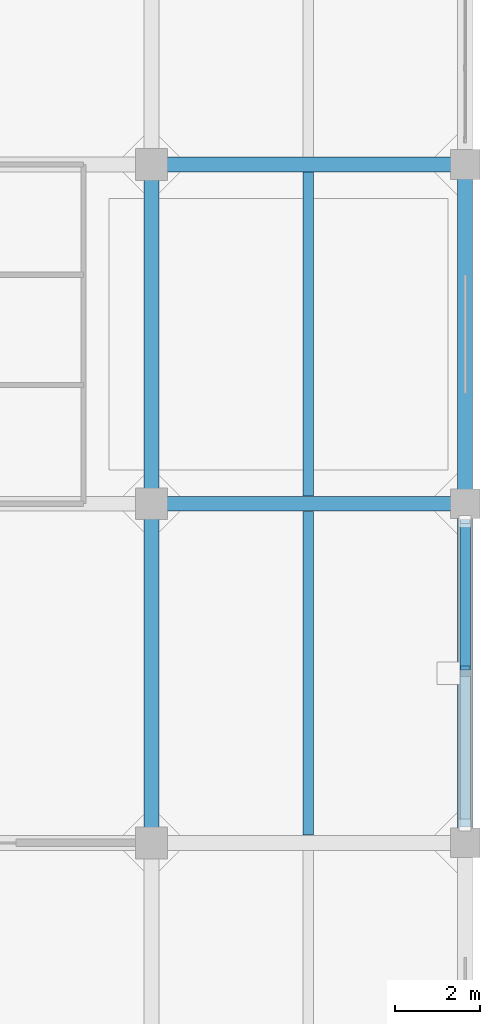
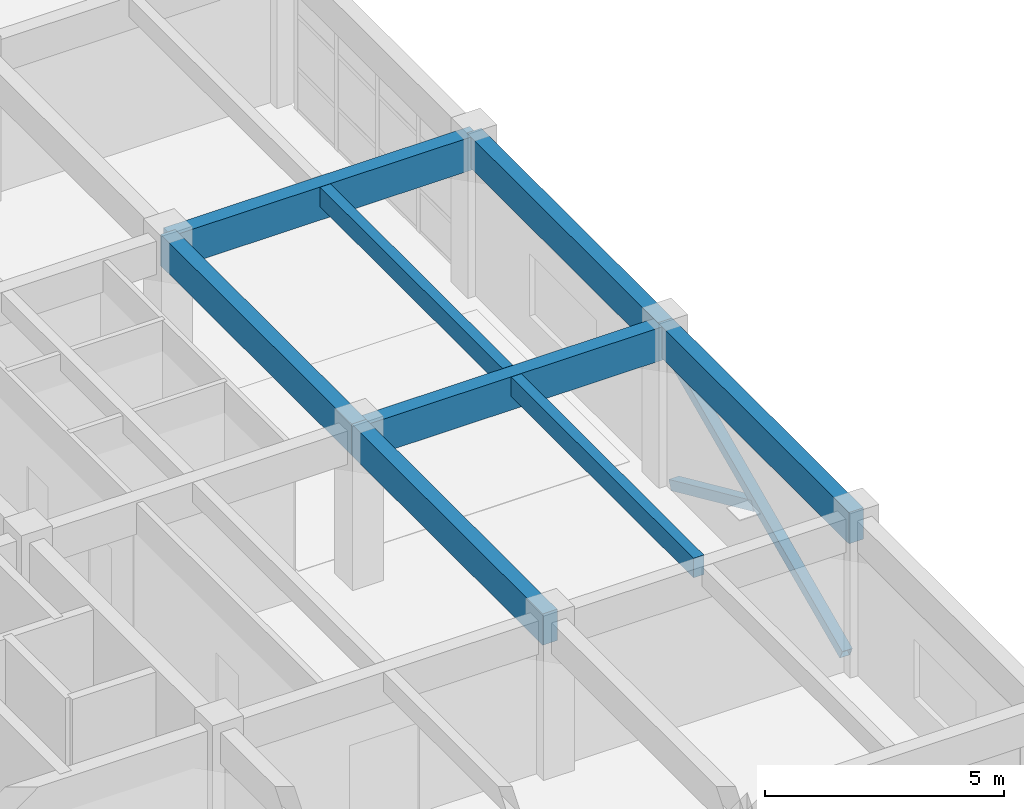
# One storey, part 11 of 27: 8 beams, 2 members.
"""IFC4 building model written with IfcOpenShell, lengths in metres."""

from ifc_helpers import new_model, si_unit, direction, frame, origin, origin_2d, place, context, subcontext, project, spatial, rectangle, hollow_rectangle, extrude, material, material_profile, profile_set, type_object, element, save


model = new_model("IFC4")

# Units and contexts
model_context = context("Model", 3, precision=1e-05, world=origin(), true_north=direction((0.0, 1.0)))
body_context = subcontext(model_context, "Body", "Model", "MODEL_VIEW")
ifc_project = project(units=[si_unit("LENGTHUNIT", "METRE"), si_unit("AREAUNIT", "SQUARE_METRE"), si_unit("VOLUMEUNIT", "CUBIC_METRE"), si_unit("PLANEANGLEUNIT", "RADIAN"), si_unit("MASSUNIT", "GRAM", prefix="KILO")], contexts=[model_context])

# Site, building, storey
site_placement = place(None, origin())
site = spatial("IfcSite", under=ifc_project, at=site_placement, CompositionType="ELEMENT")
building_placement = place(site_placement, origin())
building = spatial("IfcBuilding", under=site, at=building_placement, Name="Canggui Botanical Conservatory", CompositionType="ELEMENT")
storey_placement = place(building_placement, frame((0.0, 0.0, 36.0)))
storey = spatial("IfcBuildingStorey", under=building, at=storey_placement, Name="L09", CompositionType="ELEMENT", Elevation=36.0)

# Beams
ifc_material_1 = material(Name="Concrete C35", Category="concrete")
ifc_material_profile_1 = material_profile(ifc_material_1, rectangle(XDim=0.25, YDim=0.5, at=origin_2d()), Name="RB 250x500")
ifc_profile_set_1 = profile_set([ifc_material_profile_1], Name="Concrete C35")
beam_type_1 = type_object("IfcBeamType", Name="BM-JST04", PredefinedType="JOIST", material=ifc_profile_set_1)
for number, where, z_axis, x_axis, name in (
    (1, (173.699951171875, 42.179931640625, 3.7099609375), (0.0, 1.0, 0.0), (-1.0, 0.0, 0.0), "Secondary Floor Joist L09-4-2"),
    (2, (173.699951171875, 50.179931640625, 3.7099609375), (0.0, 1.0, 0.0), (-1.0, 0.0, 0.0), "Secondary Floor Joist L09-4-3"),
):
    element("IfcBeam", number, at=place(storey_placement, frame(where, z_axis=z_axis, x_axis=x_axis)), inside=storey, type_object=beam_type_1, Name=name, PredefinedType="JOIST", context=body_context, shape_type="SweptSolid", body=[
        extrude(rectangle(XDim=0.25, YDim=0.5, at=origin_2d()), origin(), (0.0, 0.0, 1.0), 7.64013671875),
    ])
ifc_material_profile_2 = material_profile(ifc_material_1, rectangle(XDim=0.35009765625, YDim=0.85009765625, at=origin_2d()), Name="RB 350x850")
ifc_profile_set_2 = profile_set([ifc_material_profile_2], Name="Concrete C35")
beam_type_2 = type_object("IfcBeamType", Name="BM-KL14", PredefinedType="BEAM", material=ifc_profile_set_2)
for number, where, z_axis, x_axis, name in (
    (3, (170.0, 50.0, 3.534912109375), (1.0, 0.0, 0.0), (0.0, 1.0, 0.0), "Frame Girder L09 Y50-4"),
    (4, (170.0, 58.0, 3.534912109375), (1.0, 0.0, 0.0), (0.0, 1.0, 0.0), "Frame Girder L09 Y58-4"),
):
    element("IfcBeam", number, at=place(storey_placement, frame(where, z_axis=z_axis, x_axis=x_axis)), inside=storey, type_object=beam_type_2, Name=name, PredefinedType="BEAM", context=body_context, shape_type="SweptSolid", body=[
        extrude(rectangle(XDim=0.35009765625, YDim=0.85009765625, at=origin_2d()), origin(), (0.0, 0.0, 1.0), 7.39990234375),
    ])
ifc_material_profile_3 = material_profile(ifc_material_1, rectangle(XDim=0.35009765625, YDim=0.800048828125, at=origin_2d()), Name="RB 350x800")
ifc_profile_set_3 = profile_set([ifc_material_profile_3], Name="Concrete C35")
beam_type_3 = type_object("IfcBeamType", Name="BM-KL15", PredefinedType="BEAM", material=ifc_profile_set_3)
for number, where, z_axis, x_axis, name in (
    (5, (170.0, 42.0, 3.56005859375), (0.0, 1.0, 0.0), (-1.0, 0.0, 0.0), "Frame Girder L09 X170-2"),
    (6, (170.0, 50.0, 3.56005859375), (0.0, 1.0, 0.0), (-1.0, 0.0, 0.0), "Frame Girder L09 X170-3"),
    (7, (177.39990234375, 42.0, 3.56005859375), (0.0, 1.0, 0.0), (-1.0, 0.0, 0.0), "Frame Girder L09 X178-2"),
    (8, (177.39990234375, 50.0, 3.56005859375), (0.0, 1.0, 0.0), (-1.0, 0.0, 0.0), "Frame Girder L09 X178-3"),
):
    element("IfcBeam", number, at=place(storey_placement, frame(where, z_axis=z_axis, x_axis=x_axis)), inside=storey, type_object=beam_type_3, Name=name, PredefinedType="BEAM", context=body_context, shape_type="SweptSolid", body=[
        extrude(rectangle(XDim=0.35009765625, YDim=0.800048828125, at=origin_2d()), origin(), (0.0, 0.0, 1.0), 8.0),
    ])

# Members
ifc_material_2 = material(Name="Steel Q355B", Category="steel")
ifc_material_profile_4 = material_profile(ifc_material_2, hollow_rectangle(XDim=0.25, YDim=0.25, WallThickness=0.010009765625, at=origin_2d()), Name="SHS 250x250x10")
ifc_profile_set_4 = profile_set([ifc_material_profile_4], Name="Steel Q355B")
member_type = type_object("IfcMemberType", Name="MEM-ZC01", PredefinedType="BRACE", material=ifc_profile_set_4)
member_1_placement = place(storey_placement, frame((177.39990234375, 42.419921875, 0.050048828125), z_axis=(0.0, 0.911544271313, 0.411201947268), x_axis=(-1.0, 0.0, 0.0)))
element("IfcMember", 9, at=member_1_placement, inside=storey, type_object=member_type, Name="Seismic Concentric X-Brace Continuous Diagonal L09-A", PredefinedType="BRACE", context=body_context, shape_type="SweptSolid", body=[
    extrude(hollow_rectangle(XDim=0.25, YDim=0.25, WallThickness=0.010009765625, at=origin_2d()), origin(), (0.0, 0.0, 1.0), 7.85498046875),
])
member_2_placement = place(storey_placement, frame((177.39990234375, 49.580078125, 0.050048828125), z_axis=(0.0, -0.911535661996, 0.411221031697), x_axis=(1.0, 0.0, 0.0)))
element("IfcMember", 10, at=member_2_placement, inside=storey, type_object=member_type, Name="Seismic Concentric X-Brace Lower Split Diagonal L09-B1", PredefinedType="BRACE", context=body_context, shape_type="SweptSolid", body=[
    extrude(hollow_rectangle(XDim=0.25, YDim=0.25, WallThickness=0.010009765625, at=origin_2d()), origin(), (0.0, 0.0, 1.0), 3.79248046875),
])

save(model, "model.ifc")
